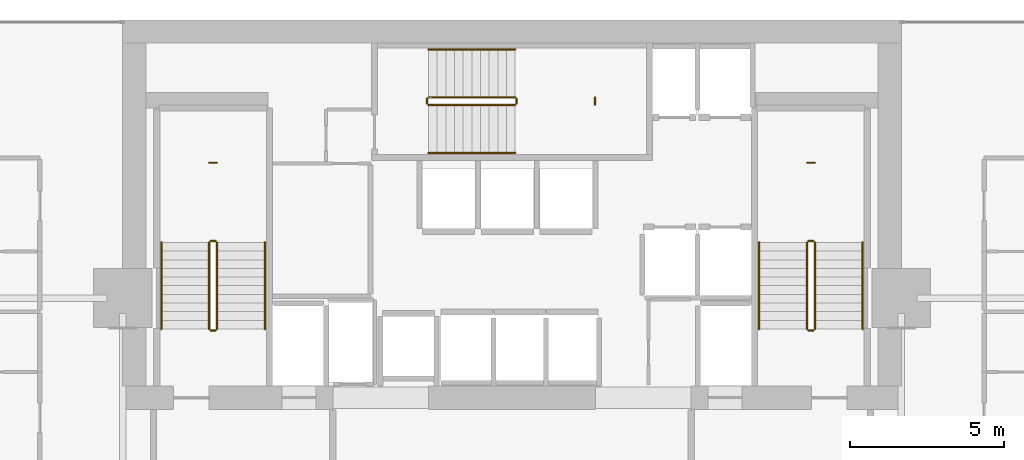
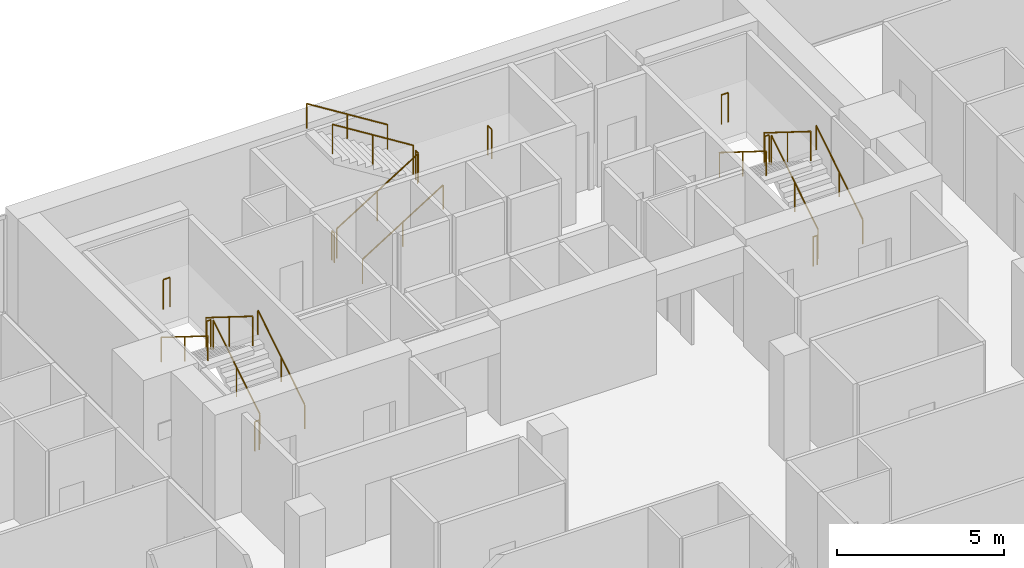
# One storey, part 34 of 34: 21 railings.
"""IFC4 building model written with IfcOpenShell, lengths in metres."""

from ifc_helpers import new_model, si_unit, direction, frame, origin, origin_2d, place, context, subcontext, project, spatial, circle, extrude, material, type_object, element, save


model = new_model("IFC4")

# Units and contexts
model_context = context("Model", 3, precision=1e-05, world=origin(), true_north=direction((0.0, 1.0)))
body_context = subcontext(model_context, "Body", "Model", "MODEL_VIEW")
ifc_project = project(units=[si_unit("LENGTHUNIT", "METRE"), si_unit("AREAUNIT", "SQUARE_METRE"), si_unit("VOLUMEUNIT", "CUBIC_METRE"), si_unit("PLANEANGLEUNIT", "RADIAN"), si_unit("MASSUNIT", "GRAM", prefix="KILO")], contexts=[model_context])

# Site, building, storey
site_placement = place(None, origin())
site = spatial("IfcSite", under=ifc_project, at=site_placement, CompositionType="ELEMENT")
building_placement = place(site_placement, origin())
building = spatial("IfcBuilding", under=site, at=building_placement, Name="Maruvema Waterfront Hotel and Observation Tower", CompositionType="ELEMENT")
storey_placement = place(building_placement, frame((0.0, 0.0, 212.10009765625)))
storey = spatial("IfcBuildingStorey", under=building, at=storey_placement, Name="L52", CompositionType="ELEMENT", Elevation=212.10009765625)

# Railings
ifc_material_1 = material(Name="Brushed stainless steel Grade 316", Category="steel")
railing_type_1 = type_object("IfcRailingType", Name="Ramp Continuous Wall Handrail 920 mm", PredefinedType="HANDRAIL", material=ifc_material_1)
railing_1_placement = place(storey_placement, frame((29.800048828125, 44.0, 0.1748046875)))
element("IfcRailing", 1, at=railing_1_placement, inside=storey, type_object=railing_type_1, Name="L52 ST-01 stair handrail 1", PredefinedType="HANDRAIL", context=body_context, shape_type="SweptSolid", body=[
    extrude(circle(Radius=0.02392578125, at=origin_2d()), frame((0.0, 0.0, 0.89599609375), z_axis=(0.0, 0.848002457836, 0.529992293815), x_axis=(-1.0, 0.0, 0.0)), (0.0, 0.0, 1.0), 3.302001953125),
    extrude(circle(Radius=0.02099609375, at=origin_2d()), origin(), (0.0, 0.0, 1.0), 0.871826171875),
    extrude(circle(Radius=0.02099609375, at=origin_2d()), frame((0.0, 1.39990234375, 0.875)), (0.0, 0.0, 1.0), 0.871826171875),
    extrude(circle(Radius=0.02099609375, at=origin_2d()), frame((0.0, 2.800048828125, 1.75)), (0.0, 0.0, 1.0), 0.871826171875),
])
railing_2_placement = place(storey_placement, frame((26.449951171875, 46.800048828125, 2.099853515625)))
element("IfcRailing", 2, at=railing_2_placement, inside=storey, type_object=railing_type_1, Name="L52 ST-01 stair handrail 2", PredefinedType="HANDRAIL", context=body_context, shape_type="SweptSolid", body=[
    extrude(circle(Radius=0.02392578125, at=origin_2d()), frame((0.0, 0.0, 0.89599609375), z_axis=(0.0, -0.848002457836, 0.529992293815), x_axis=(1.0, 0.0, 0.0)), (0.0, 0.0, 1.0), 3.302001953125),
    extrude(circle(Radius=0.02099609375, at=origin_2d()), origin(), (0.0, 0.0, 1.0), 0.871826171875),
    extrude(circle(Radius=0.02099609375, at=origin_2d()), frame((0.0, -1.39990234375, 0.875)), (0.0, 0.0, 1.0), 0.871826171875),
    extrude(circle(Radius=0.02099609375, at=origin_2d()), frame((0.0, -2.800048828125, 1.75)), (0.0, 0.0, 1.0), 0.871826171875),
])
railing_3_placement = place(storey_placement, frame((35.10009765625, 49.699951171875, 0.1748046875)))
element("IfcRailing", 3, at=railing_3_placement, inside=storey, type_object=railing_type_1, Name="L52 ST-02 stair handrail 1", PredefinedType="HANDRAIL", context=body_context, shape_type="SweptSolid", body=[
    extrude(circle(Radius=0.02392578125, at=origin_2d()), frame((0.0, 0.0, 0.89599609375), z_axis=(0.847981687118, 0.0, 0.530025526095), x_axis=(0.0, 1.0, 0.0)), (0.0, 0.0, 1.0), 3.3017578125),
    extrude(circle(Radius=0.02099609375, at=origin_2d()), origin(), (0.0, 0.0, 1.0), 0.871826171875),
    extrude(circle(Radius=0.02099609375, at=origin_2d()), frame((1.39990234375, 0.0, 0.875)), (0.0, 0.0, 1.0), 0.871826171875),
    extrude(circle(Radius=0.02099609375, at=origin_2d()), frame((2.7998046875, 0.0, 1.75)), (0.0, 0.0, 1.0), 0.871826171875),
])
railing_4_placement = place(storey_placement, frame((37.89990234375, 53.050048828125, 2.099853515625)))
element("IfcRailing", 4, at=railing_4_placement, inside=storey, type_object=railing_type_1, Name="L52 ST-02 stair handrail 2", PredefinedType="HANDRAIL", context=body_context, shape_type="SweptSolid", body=[
    extrude(circle(Radius=0.02392578125, at=origin_2d()), frame((0.0, 0.0, 0.89599609375), z_axis=(-0.847981687118, 0.0, 0.530025526095), x_axis=(0.0, -1.0, 0.0)), (0.0, 0.0, 1.0), 3.3017578125),
    extrude(circle(Radius=0.02099609375, at=origin_2d()), origin(), (0.0, 0.0, 1.0), 0.871826171875),
    extrude(circle(Radius=0.02099609375, at=origin_2d()), frame((-1.39990234375, 0.0, 0.875)), (0.0, 0.0, 1.0), 0.871826171875),
    extrude(circle(Radius=0.02099609375, at=origin_2d()), frame((-2.7998046875, 0.0, 1.75)), (0.0, 0.0, 1.0), 0.871826171875),
])
railing_5_placement = place(storey_placement, frame((49.14990234375, 44.0, 0.1748046875)))
element("IfcRailing", 5, at=railing_5_placement, inside=storey, type_object=railing_type_1, Name="L52 ST-03 stair handrail 1", PredefinedType="HANDRAIL", context=body_context, shape_type="SweptSolid", body=[
    extrude(circle(Radius=0.02392578125, at=origin_2d()), frame((0.0, 0.0, 0.89599609375), z_axis=(0.0, 0.848002457836, 0.529992293815), x_axis=(-1.0, 0.0, 0.0)), (0.0, 0.0, 1.0), 3.302001953125),
    extrude(circle(Radius=0.02099609375, at=origin_2d()), origin(), (0.0, 0.0, 1.0), 0.871826171875),
    extrude(circle(Radius=0.02099609375, at=origin_2d()), frame((0.0, 1.39990234375, 0.875)), (0.0, 0.0, 1.0), 0.871826171875),
    extrude(circle(Radius=0.02099609375, at=origin_2d()), frame((0.0, 2.800048828125, 1.75)), (0.0, 0.0, 1.0), 0.871826171875),
])
railing_6_placement = place(storey_placement, frame((45.800048828125, 46.800048828125, 2.099853515625)))
element("IfcRailing", 6, at=railing_6_placement, inside=storey, type_object=railing_type_1, Name="L52 ST-03 stair handrail 2", PredefinedType="HANDRAIL", context=body_context, shape_type="SweptSolid", body=[
    extrude(circle(Radius=0.02392578125, at=origin_2d()), frame((0.0, 0.0, 0.89599609375), z_axis=(0.0, -0.848002457836, 0.529992293815), x_axis=(1.0, 0.0, 0.0)), (0.0, 0.0, 1.0), 3.302001953125),
    extrude(circle(Radius=0.02099609375, at=origin_2d()), origin(), (0.0, 0.0, 1.0), 0.871826171875),
    extrude(circle(Radius=0.02099609375, at=origin_2d()), frame((0.0, -1.39990234375, 0.875)), (0.0, 0.0, 1.0), 0.871826171875),
    extrude(circle(Radius=0.02099609375, at=origin_2d()), frame((0.0, -2.800048828125, 1.75)), (0.0, 0.0, 1.0), 0.871826171875),
])
ifc_material_2 = material(Name="Brushed stainless steel Grade 316", Category="steel")
railing_type_2 = type_object("IfcRailingType", Name="Ramp and Terrace Guard Balustrade 1100 mm", PredefinedType="BALUSTRADE", material=ifc_material_2)
railing_7_placement = place(storey_placement, frame((28.25, 44.0, 0.1748046875)))
element("IfcRailing", 7, at=railing_7_placement, inside=storey, type_object=railing_type_2, Name="L52 ST-01 stair guard 1", PredefinedType="BALUSTRADE", context=body_context, shape_type="SweptSolid", body=[
    extrude(circle(Radius=0.02392578125, at=origin_2d()), frame((0.0, 0.0, 1.076171875), z_axis=(0.0, 0.848002457836, 0.529992293815), x_axis=(-1.0, 0.0, 0.0)), (0.0, 0.0, 1.0), 3.302001953125),
    extrude(circle(Radius=0.02099609375, at=origin_2d()), origin(), (0.0, 0.0, 1.0), 1.052001953125),
    extrude(circle(Radius=0.02099609375, at=origin_2d()), frame((0.0, 1.39990234375, 0.875)), (0.0, 0.0, 1.0), 1.052001953125),
    extrude(circle(Radius=0.02099609375, at=origin_2d()), frame((0.0, 2.800048828125, 1.75)), (0.0, 0.0, 1.0), 1.052001953125),
])
railing_8_placement = place(storey_placement, frame((28.199951171875, 46.85009765625, 1.9248046875)))
element("IfcRailing", 8, at=railing_8_placement, inside=storey, type_object=railing_type_2, Name="L52 ST-01 stair guard 2", PredefinedType="BALUSTRADE", context=body_context, shape_type="SweptSolid", body=[
    extrude(circle(Radius=0.02392578125, at=origin_2d()), frame((0.0, 0.0, 1.076171875), z_axis=(-1.0, 0.0, 0.0), x_axis=(0.0, -1.0, 0.0)), (0.0, 0.0, 1.0), 0.14990234375),
    extrude(circle(Radius=0.02099609375, at=origin_2d()), origin(), (0.0, 0.0, 1.0), 1.052001953125),
    extrude(circle(Radius=0.02099609375, at=origin_2d()), frame((-0.14990234375, 0.0, 0.0)), (0.0, 0.0, 1.0), 1.052001953125),
])
railing_9_placement = place(storey_placement, frame((28.0, 46.800048828125, 2.099853515625)))
element("IfcRailing", 9, at=railing_9_placement, inside=storey, type_object=railing_type_2, Name="L52 ST-01 stair guard 3", PredefinedType="BALUSTRADE", context=body_context, shape_type="SweptSolid", body=[
    extrude(circle(Radius=0.02392578125, at=origin_2d()), frame((0.0, 0.0, 1.076171875), z_axis=(0.0, -0.848002457836, 0.529992293815), x_axis=(1.0, 0.0, 0.0)), (0.0, 0.0, 1.0), 3.302001953125),
    extrude(circle(Radius=0.02099609375, at=origin_2d()), origin(), (0.0, 0.0, 1.0), 1.052001953125),
    extrude(circle(Radius=0.02099609375, at=origin_2d()), frame((0.0, -1.39990234375, 0.875)), (0.0, 0.0, 1.0), 1.052001953125),
    extrude(circle(Radius=0.02099609375, at=origin_2d()), frame((0.0, -2.800048828125, 1.75)), (0.0, 0.0, 1.0), 1.052001953125),
])
railing_10_placement = place(storey_placement, frame((28.199951171875, 43.949951171875, 0.0)))
element("IfcRailing", 10, at=railing_10_placement, inside=storey, type_object=railing_type_2, Name="L52 ST-01 stair guard 4", PredefinedType="BALUSTRADE", context=body_context, shape_type="SweptSolid", body=[
    extrude(circle(Radius=0.02392578125, at=origin_2d()), frame((0.0, 0.0, 1.076171875), z_axis=(-1.0, 0.0, 0.0), x_axis=(0.0, -1.0, 0.0)), (0.0, 0.0, 1.0), 0.14990234375),
    extrude(circle(Radius=0.02099609375, at=origin_2d()), origin(), (0.0, 0.0, 1.0), 1.052001953125),
    extrude(circle(Radius=0.02099609375, at=origin_2d()), frame((-0.14990234375, 0.0, 0.0)), (0.0, 0.0, 1.0), 1.052001953125),
])
railing_11_placement = place(storey_placement, frame((28.239990234375, 49.3798828125, 1.9248046875)))
element("IfcRailing", 11, at=railing_11_placement, inside=storey, type_object=railing_type_2, Name="L52 ST-01 Half-Landing Slot Guard", PredefinedType="BALUSTRADE", context=body_context, shape_type="SweptSolid", body=[
    extrude(circle(Radius=0.02392578125, at=origin_2d()), frame((0.0, 0.0, 1.076171875), z_axis=(-1.0, 0.0, 0.0), x_axis=(0.0, -1.0, 0.0)), (0.0, 0.0, 1.0), 0.22998046875),
    extrude(circle(Radius=0.02099609375, at=origin_2d()), origin(), (0.0, 0.0, 1.0), 1.052001953125),
    extrude(circle(Radius=0.02099609375, at=origin_2d()), frame((-0.22998046875, 0.0, 0.0)), (0.0, 0.0, 1.0), 1.052001953125),
])
railing_12_placement = place(storey_placement, frame((35.10009765625, 51.25, 0.1748046875)))
element("IfcRailing", 12, at=railing_12_placement, inside=storey, type_object=railing_type_2, Name="L52 ST-02 stair guard 1", PredefinedType="BALUSTRADE", context=body_context, shape_type="SweptSolid", body=[
    extrude(circle(Radius=0.02392578125, at=origin_2d()), frame((0.0, 0.0, 1.076171875), z_axis=(0.847981687118, 0.0, 0.530025526095), x_axis=(0.0, 1.0, 0.0)), (0.0, 0.0, 1.0), 3.3017578125),
    extrude(circle(Radius=0.02099609375, at=origin_2d()), origin(), (0.0, 0.0, 1.0), 1.052001953125),
    extrude(circle(Radius=0.02099609375, at=origin_2d()), frame((1.39990234375, 0.0, 0.875)), (0.0, 0.0, 1.0), 1.052001953125),
    extrude(circle(Radius=0.02099609375, at=origin_2d()), frame((2.7998046875, 0.0, 1.75)), (0.0, 0.0, 1.0), 1.052001953125),
])
railing_13_placement = place(storey_placement, frame((37.949951171875, 51.300048828125, 1.9248046875)))
element("IfcRailing", 13, at=railing_13_placement, inside=storey, type_object=railing_type_2, Name="L52 ST-02 stair guard 2", PredefinedType="BALUSTRADE", context=body_context, shape_type="SweptSolid", body=[
    extrude(circle(Radius=0.02392578125, at=origin_2d()), frame((0.0, 0.0, 1.076171875), z_axis=(0.0, 1.0, 0.0), x_axis=(-1.0, 0.0, 0.0)), (0.0, 0.0, 1.0), 0.14990234375),
    extrude(circle(Radius=0.02099609375, at=origin_2d()), origin(), (0.0, 0.0, 1.0), 1.052001953125),
    extrude(circle(Radius=0.02099609375, at=origin_2d()), frame((0.0, 0.14990234375, 0.0)), (0.0, 0.0, 1.0), 1.052001953125),
])
railing_14_placement = place(storey_placement, frame((37.89990234375, 51.5, 2.099853515625)))
element("IfcRailing", 14, at=railing_14_placement, inside=storey, type_object=railing_type_2, Name="L52 ST-02 stair guard 3", PredefinedType="BALUSTRADE", context=body_context, shape_type="SweptSolid", body=[
    extrude(circle(Radius=0.02392578125, at=origin_2d()), frame((0.0, 0.0, 1.076171875), z_axis=(-0.847981687118, 0.0, 0.530025526095), x_axis=(0.0, -1.0, 0.0)), (0.0, 0.0, 1.0), 3.3017578125),
    extrude(circle(Radius=0.02099609375, at=origin_2d()), origin(), (0.0, 0.0, 1.0), 1.052001953125),
    extrude(circle(Radius=0.02099609375, at=origin_2d()), frame((-1.39990234375, 0.0, 0.875)), (0.0, 0.0, 1.0), 1.052001953125),
    extrude(circle(Radius=0.02099609375, at=origin_2d()), frame((-2.7998046875, 0.0, 1.75)), (0.0, 0.0, 1.0), 1.052001953125),
])
railing_15_placement = place(storey_placement, frame((35.050048828125, 51.300048828125, 0.0)))
element("IfcRailing", 15, at=railing_15_placement, inside=storey, type_object=railing_type_2, Name="L52 ST-02 stair guard 4", PredefinedType="BALUSTRADE", context=body_context, shape_type="SweptSolid", body=[
    extrude(circle(Radius=0.02392578125, at=origin_2d()), frame((0.0, 0.0, 1.076171875), z_axis=(0.0, 1.0, 0.0), x_axis=(-1.0, 0.0, 0.0)), (0.0, 0.0, 1.0), 0.14990234375),
    extrude(circle(Radius=0.02099609375, at=origin_2d()), origin(), (0.0, 0.0, 1.0), 1.052001953125),
    extrude(circle(Radius=0.02099609375, at=origin_2d()), frame((0.0, 0.14990234375, 0.0)), (0.0, 0.0, 1.0), 1.052001953125),
])
railing_16_placement = place(storey_placement, frame((40.47998046875, 51.260009765625, 1.9248046875)))
element("IfcRailing", 16, at=railing_16_placement, inside=storey, type_object=railing_type_2, Name="L52 ST-02 Half-Landing Slot Guard", PredefinedType="BALUSTRADE", context=body_context, shape_type="SweptSolid", body=[
    extrude(circle(Radius=0.02392578125, at=origin_2d()), frame((0.0, 0.0, 1.076171875), z_axis=(0.0, 1.0, 0.0), x_axis=(-1.0, 0.0, 0.0)), (0.0, 0.0, 1.0), 0.22998046875),
    extrude(circle(Radius=0.02099609375, at=origin_2d()), origin(), (0.0, 0.0, 1.0), 1.052001953125),
    extrude(circle(Radius=0.02099609375, at=origin_2d()), frame((0.0, 0.22998046875, 0.0)), (0.0, 0.0, 1.0), 1.052001953125),
])
railing_17_placement = place(storey_placement, frame((47.60009765625, 44.0, 0.1748046875)))
element("IfcRailing", 17, at=railing_17_placement, inside=storey, type_object=railing_type_2, Name="L52 ST-03 stair guard 1", PredefinedType="BALUSTRADE", context=body_context, shape_type="SweptSolid", body=[
    extrude(circle(Radius=0.02392578125, at=origin_2d()), frame((0.0, 0.0, 1.076171875), z_axis=(0.0, 0.848002457836, 0.529992293815), x_axis=(-1.0, 0.0, 0.0)), (0.0, 0.0, 1.0), 3.302001953125),
    extrude(circle(Radius=0.02099609375, at=origin_2d()), origin(), (0.0, 0.0, 1.0), 1.052001953125),
    extrude(circle(Radius=0.02099609375, at=origin_2d()), frame((0.0, 1.39990234375, 0.875)), (0.0, 0.0, 1.0), 1.052001953125),
    extrude(circle(Radius=0.02099609375, at=origin_2d()), frame((0.0, 2.800048828125, 1.75)), (0.0, 0.0, 1.0), 1.052001953125),
])
railing_18_placement = place(storey_placement, frame((47.550048828125, 46.85009765625, 1.9248046875)))
element("IfcRailing", 18, at=railing_18_placement, inside=storey, type_object=railing_type_2, Name="L52 ST-03 stair guard 2", PredefinedType="BALUSTRADE", context=body_context, shape_type="SweptSolid", body=[
    extrude(circle(Radius=0.02392578125, at=origin_2d()), frame((0.0, 0.0, 1.076171875), z_axis=(-1.0, 0.0, 0.0), x_axis=(0.0, -1.0, 0.0)), (0.0, 0.0, 1.0), 0.150146484375),
    extrude(circle(Radius=0.02099609375, at=origin_2d()), origin(), (0.0, 0.0, 1.0), 1.052001953125),
    extrude(circle(Radius=0.02099609375, at=origin_2d()), frame((-0.150146484375, 0.0, 0.0)), (0.0, 0.0, 1.0), 1.052001953125),
])
railing_19_placement = place(storey_placement, frame((47.35009765625, 46.800048828125, 2.099853515625)))
element("IfcRailing", 19, at=railing_19_placement, inside=storey, type_object=railing_type_2, Name="L52 ST-03 stair guard 3", PredefinedType="BALUSTRADE", context=body_context, shape_type="SweptSolid", body=[
    extrude(circle(Radius=0.02392578125, at=origin_2d()), frame((0.0, 0.0, 1.076171875), z_axis=(0.0, -0.848002457836, 0.529992293815), x_axis=(1.0, 0.0, 0.0)), (0.0, 0.0, 1.0), 3.302001953125),
    extrude(circle(Radius=0.02099609375, at=origin_2d()), origin(), (0.0, 0.0, 1.0), 1.052001953125),
    extrude(circle(Radius=0.02099609375, at=origin_2d()), frame((0.0, -1.39990234375, 0.875)), (0.0, 0.0, 1.0), 1.052001953125),
    extrude(circle(Radius=0.02099609375, at=origin_2d()), frame((0.0, -2.800048828125, 1.75)), (0.0, 0.0, 1.0), 1.052001953125),
])
railing_20_placement = place(storey_placement, frame((47.550048828125, 43.949951171875, 0.0)))
element("IfcRailing", 20, at=railing_20_placement, inside=storey, type_object=railing_type_2, Name="L52 ST-03 stair guard 4", PredefinedType="BALUSTRADE", context=body_context, shape_type="SweptSolid", body=[
    extrude(circle(Radius=0.02392578125, at=origin_2d()), frame((0.0, 0.0, 1.076171875), z_axis=(-1.0, 0.0, 0.0), x_axis=(0.0, -1.0, 0.0)), (0.0, 0.0, 1.0), 0.150146484375),
    extrude(circle(Radius=0.02099609375, at=origin_2d()), origin(), (0.0, 0.0, 1.0), 1.052001953125),
    extrude(circle(Radius=0.02099609375, at=origin_2d()), frame((-0.150146484375, 0.0, 0.0)), (0.0, 0.0, 1.0), 1.052001953125),
])
railing_21_placement = place(storey_placement, frame((47.590087890625, 49.3798828125, 1.9248046875)))
element("IfcRailing", 21, at=railing_21_placement, inside=storey, type_object=railing_type_2, Name="L52 ST-03 Half-Landing Slot Guard", PredefinedType="BALUSTRADE", context=body_context, shape_type="SweptSolid", body=[
    extrude(circle(Radius=0.02392578125, at=origin_2d()), frame((0.0, 0.0, 1.076171875), z_axis=(-1.0, 0.0, 0.0), x_axis=(0.0, -1.0, 0.0)), (0.0, 0.0, 1.0), 0.22998046875),
    extrude(circle(Radius=0.02099609375, at=origin_2d()), origin(), (0.0, 0.0, 1.0), 1.052001953125),
    extrude(circle(Radius=0.02099609375, at=origin_2d()), frame((-0.22998046875, 0.0, 0.0)), (0.0, 0.0, 1.0), 1.052001953125),
])

save(model, "model.ifc")
